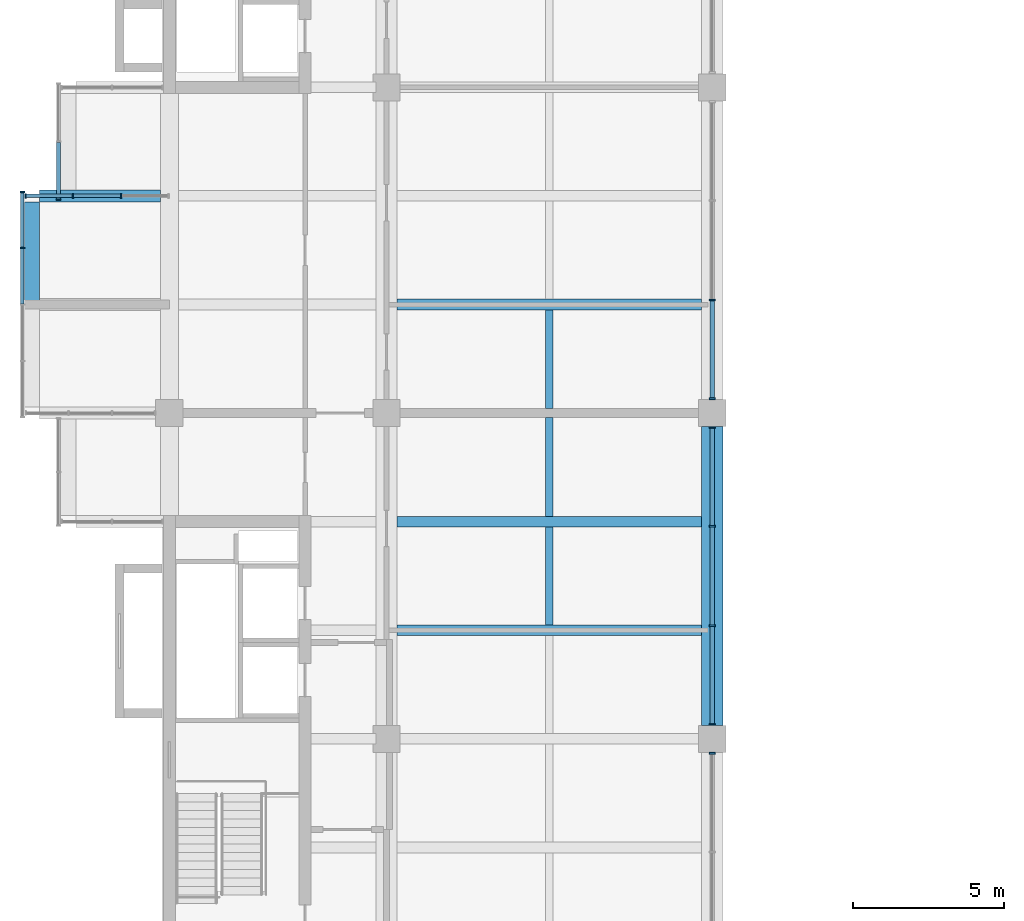
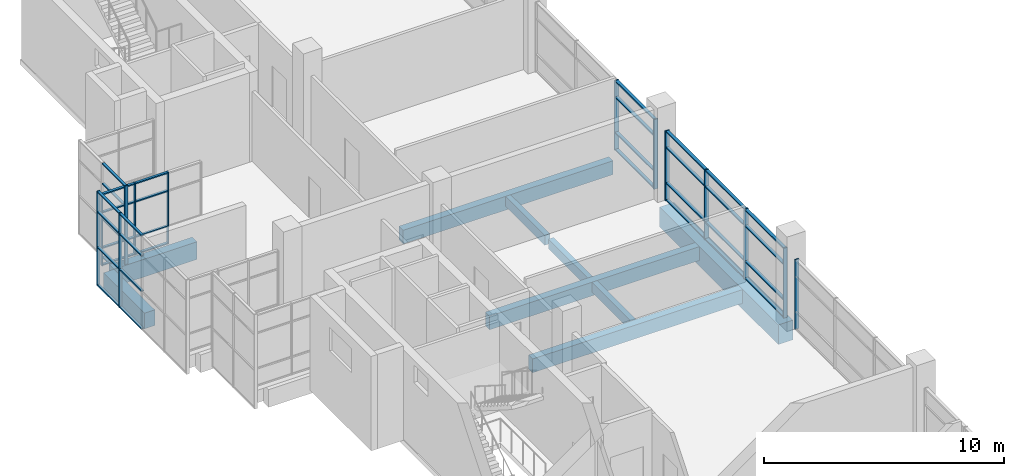
# One storey, part 7 of 22: 49 members, 9 beams, 6 elements without a shape of their own.
"""IFC4 building model written with IfcOpenShell, lengths in metres."""

from ifc_helpers import new_model, si_unit, direction, frame, origin, origin_2d, place, context, subcontext, project, spatial, rectangle, extrude, material, layer, layer_set, material_profile, profile_set, type_object, element, aggregate, save


model = new_model("IFC4")

# Units and contexts
model_context = context("Model", 3, precision=1e-05, world=origin(), true_north=direction((0.0, 1.0)))
body_context = subcontext(model_context, "Body", "Model", "MODEL_VIEW")
ifc_project = project(units=[si_unit("LENGTHUNIT", "METRE"), si_unit("AREAUNIT", "SQUARE_METRE"), si_unit("VOLUMEUNIT", "CUBIC_METRE"), si_unit("PLANEANGLEUNIT", "RADIAN"), si_unit("MASSUNIT", "GRAM", prefix="KILO")], contexts=[model_context])

# Site, building, storey
site_placement = place(None, origin())
site = spatial("IfcSite", under=ifc_project, at=site_placement, CompositionType="ELEMENT")
building_placement = place(site_placement, origin())
building = spatial("IfcBuilding", under=site, at=building_placement, Name="Basin Gate Institute", CompositionType="ELEMENT")
storey_placement = place(building_placement, frame((0.0, 0.0, 51.0)))
storey = spatial("IfcBuildingStorey", under=building, at=storey_placement, Name="L10", CompositionType="ELEMENT", Elevation=51.0)

# Beams
ifc_material_1 = material(Name="Concrete 40 MPa", Category="concrete")
ifc_material_profile_1 = material_profile(ifc_material_1, rectangle(XDim=0.35009765625, YDim=0.699951171875, at=origin_2d()), Name="Beam B1 350 x 700")
ifc_profile_set_1 = profile_set([ifc_material_profile_1], Name="Concrete 40 MPa")
beam_type_1 = type_object("IfcBeamType", Name="Beam B1 R120", PredefinedType="BEAM", material=ifc_profile_set_1)
for number, where, z_axis, x_axis, name in (
    (1, (68.75, 71.10009765625, -0.60009765625), (1.0, 0.0, 0.0), (0.0, 1.0, 0.0), "BEAM/L10/W/EW/11"),
    (2, (68.75, 74.699951171875, -0.60009765625), (1.0, 0.0, 0.0), (0.0, 1.0, 0.0), "BEAM/L10/W/EW/12"),
    (3, (68.75, 81.89990234375, -0.60009765625), (1.0, 0.0, 0.0), (0.0, 1.0, 0.0), "BEAM/L10/W/EW/14"),
):
    element("IfcBeam", number, at=place(storey_placement, frame(where, z_axis=z_axis, x_axis=x_axis)), inside=storey, type_object=beam_type_1, material=ifc_profile_set_1, Name=name, PredefinedType="BEAM", context=body_context, shape_type="SweptSolid", body=[
        extrude(rectangle(XDim=0.35009765625, YDim=0.699951171875, at=origin_2d()), origin(), (0.0, 0.0, 1.0), 10.10009765625),
    ])
ifc_material_2 = material(Name="Concrete 50 MPa", Category="concrete")
ifc_material_profile_2 = material_profile(ifc_material_2, rectangle(XDim=0.39990234375, YDim=0.89990234375, at=origin_2d()), Name="Cantilever beam B3 400 x 900")
ifc_profile_set_2 = profile_set([ifc_material_profile_2], Name="Concrete 50 MPa")
beam_type_2 = type_object("IfcBeamType", Name="Cantilever beam B3 R120", PredefinedType="BEAM", material=ifc_profile_set_2)
beam_1_placement = place(storey_placement, frame((56.89990234375, 85.5, -0.699951171875), z_axis=(1.0, 0.0, 0.0), x_axis=(0.0, 1.0, 0.0)))
element("IfcBeam", 4, at=beam_1_placement, inside=storey, type_object=beam_type_2, material=ifc_profile_set_2, Name="BEAM/L10/W/CANT/15", PredefinedType="BEAM", context=body_context, shape_type="SweptSolid", body=[
    extrude(rectangle(XDim=0.39990234375, YDim=0.89990234375, at=origin_2d()), origin(), (0.0, 0.0, 1.0), 4.0),
])
ifc_material_3 = material(Name="Concrete 50 MPa", Category="concrete")
ifc_material_profile_3 = material_profile(ifc_material_3, rectangle(XDim=0.699951171875, YDim=1.0, at=origin_2d()), Name="Girder G1 700 x 1000")
ifc_profile_set_3 = profile_set([ifc_material_profile_3], Name="Concrete 50 MPa")
beam_type_3 = type_object("IfcBeamType", Name="Girder G1 R120", PredefinedType="BEAM", material=ifc_profile_set_3)
beam_2_placement = place(storey_placement, frame((79.199951171875, 67.949951171875, -0.75), z_axis=(0.0, 1.0, 0.0), x_axis=(-1.0, 0.0, 0.0)))
element("IfcBeam", 5, at=beam_2_placement, inside=storey, type_object=beam_type_3, material=ifc_profile_set_3, Name="GIR/L10/W6/4", PredefinedType="BEAM", context=body_context, shape_type="SweptSolid", body=[
    extrude(rectangle(XDim=0.699951171875, YDim=1.0, at=origin_2d()), origin(), (0.0, 0.0, 1.0), 9.900146484375),
])

# Curtain wall, members
ifc_material_4 = material(Name="Aluminium-framed glazing", Category="aluminium")
ifc_layer_1 = layer(ifc_material_4, 0.14990234375)
ifc_layer_set_1 = layer_set([ifc_layer_1], Name="Capsule front curtain wall CW1")
curtain_wall_type_1 = type_object("IfcCurtainWallType", Name="Capsule front curtain wall CW1", PredefinedType="NOTDEFINED", material=ifc_layer_set_1)
curtain_wall_1_placement = place(storey_placement, origin())
curtain_wall_1 = element("IfcCurtainWall", 6, at=curtain_wall_1_placement, inside=storey, type_object=curtain_wall_type_1, material=ifc_layer_set_1, Name="Capsule front curtain wall W wing capsule end L10 line 15", PredefinedType="NOTDEFINED")
ifc_material_5 = material(Name="Aluminium", Category="aluminium")
ifc_material_profile_4 = material_profile(ifc_material_5, rectangle(XDim=0.14990234375, YDim=0.050048828125, at=origin_2d()), Name="Mullion MU1 150 x 50")
ifc_profile_set_4 = profile_set([ifc_material_profile_4], Name="Aluminium")
member_type_1 = type_object("IfcMemberType", Name="Mullion MU1", PredefinedType="MULLION", material=ifc_profile_set_4)
member_1_placement = place(storey_placement, frame((56.425048828125, 85.5, 0.0), z_axis=(0.0, 0.0, 1.0), x_axis=(0.0, 1.0, 0.0)))
member_1 = element("IfcMember", 7, at=member_1_placement, type_object=member_type_1, material=ifc_profile_set_4, Name="CW1 mullion 1", PredefinedType="MULLION", context=body_context, shape_type="SweptSolid", body=[
    extrude(rectangle(XDim=0.14990234375, YDim=0.050048828125, at=origin_2d()), origin(), (0.0, 0.0, 1.0), 3.64990234375),
])
member_2_placement = place(storey_placement, frame((58.0, 85.5, 0.0), z_axis=(0.0, 0.0, 1.0), x_axis=(0.0, 1.0, 0.0)))
member_2 = element("IfcMember", 8, at=member_2_placement, type_object=member_type_1, material=ifc_profile_set_4, Name="CW1 mullion 2", PredefinedType="MULLION", context=body_context, shape_type="SweptSolid", body=[
    extrude(rectangle(XDim=0.14990234375, YDim=0.050048828125, at=origin_2d()), origin(), (0.0, 0.0, 1.0), 3.64990234375),
])
member_3_placement = place(storey_placement, frame((59.60009765625, 85.5, 0.0), z_axis=(0.0, 0.0, 1.0), x_axis=(0.0, 1.0, 0.0)))
member_3 = element("IfcMember", 9, at=member_3_placement, type_object=member_type_1, material=ifc_profile_set_4, Name="CW1 mullion 3", PredefinedType="MULLION", context=body_context, shape_type="SweptSolid", body=[
    extrude(rectangle(XDim=0.14990234375, YDim=0.050048828125, at=origin_2d()), origin(), (0.0, 0.0, 1.0), 3.64990234375),
])

curtain_wall_2_placement = place(storey_placement, origin())
curtain_wall_2 = element("IfcCurtainWall", 10, at=curtain_wall_2_placement, inside=storey, type_object=curtain_wall_type_1, material=ifc_layer_set_1, Name="Capsule front curtain wall W wing capsule 2 L10 front 2", PredefinedType="NOTDEFINED")
member_4_placement = place(storey_placement, frame((56.324951171875, 83.77490234375, -1.050048828125), z_axis=(0.0, 0.0, 1.0), x_axis=(-1.0, 0.0, 0.0)))
member_4 = element("IfcMember", 11, at=member_4_placement, type_object=member_type_1, material=ifc_profile_set_4, Name="CW1 mullion 4", PredefinedType="MULLION", context=body_context, shape_type="SweptSolid", body=[
    extrude(rectangle(XDim=0.14990234375, YDim=0.050048828125, at=origin_2d()), origin(), (0.0, 0.0, 1.0), 4.800048828125),
])
member_5_placement = place(storey_placement, frame((56.324951171875, 85.625, -1.050048828125), z_axis=(0.0, 0.0, 1.0), x_axis=(-1.0, 0.0, 0.0)))
member_5 = element("IfcMember", 12, at=member_5_placement, type_object=member_type_1, material=ifc_profile_set_4, Name="CW1 mullion 5", PredefinedType="MULLION", context=body_context, shape_type="SweptSolid", body=[
    extrude(rectangle(XDim=0.14990234375, YDim=0.050048828125, at=origin_2d()), origin(), (0.0, 0.0, 1.0), 4.800048828125),
])

# Curtain wall, member
curtain_wall_3_placement = place(storey_placement, origin())
curtain_wall_3 = element("IfcCurtainWall", 13, at=curtain_wall_3_placement, inside=storey, type_object=curtain_wall_type_1, material=ifc_layer_set_1, Name="Capsule front curtain wall W wing capsule 2 L10 front 4", PredefinedType="NOTDEFINED")
member_6_placement = place(storey_placement, frame((57.52490234375, 85.375, -1.050048828125), z_axis=(0.0, 0.0, 1.0), x_axis=(-1.0, 0.0, 0.0)))
member_6 = element("IfcMember", 14, at=member_6_placement, type_object=member_type_1, material=ifc_profile_set_4, Name="CW1 mullion 1", PredefinedType="MULLION", context=body_context, shape_type="SweptSolid", body=[
    extrude(rectangle(XDim=0.14990234375, YDim=0.050048828125, at=origin_2d()), origin(), (0.0, 0.0, 1.0), 4.800048828125),
])

ifc_material_6 = material(Name="Aluminium-framed glazing", Category="aluminium")
ifc_layer_2 = layer(ifc_material_6, 0.199951171875)
ifc_layer_set_2 = layer_set([ifc_layer_2], Name="Atrium curtain wall CW2")
curtain_wall_type_2 = type_object("IfcCurtainWallType", Name="Atrium curtain wall CW2", PredefinedType="NOTDEFINED", material=ifc_layer_set_2)
curtain_wall_4_placement = place(storey_placement, origin())
curtain_wall_4 = element("IfcCurtainWall", 15, at=curtain_wall_4_placement, inside=storey, type_object=curtain_wall_type_2, material=ifc_layer_set_2, Name="Atrium curtain wall W wing atrium bay 3 L10", PredefinedType="NOTDEFINED")
ifc_material_7 = material(Name="Aluminium", Category="aluminium")
ifc_material_profile_5 = material_profile(ifc_material_7, rectangle(XDim=0.199951171875, YDim=0.06005859375, at=origin_2d()), Name="Mullion MU2 200 x 60")
ifc_profile_set_5 = profile_set([ifc_material_profile_5], Name="Aluminium")
member_type_2 = type_object("IfcMemberType", Name="Mullion MU2", PredefinedType="MULLION", material=ifc_profile_set_5)
member_7_placement = place(storey_placement, frame((79.199951171875, 67.02001953125, 0.0), z_axis=(0.0, 0.0, 1.0), x_axis=(-1.0, 0.0, 0.0)))
member_7 = element("IfcMember", 16, at=member_7_placement, type_object=member_type_2, material=ifc_profile_set_5, Name="CW2 mullion 4", PredefinedType="MULLION", context=body_context, shape_type="SweptSolid", body=[
    extrude(rectangle(XDim=0.199951171875, YDim=0.06005859375, at=origin_2d()), origin(), (0.0, 0.0, 1.0), 3.550048828125),
])
aggregate(curtain_wall_4, [member_7])

# Curtain wall, members
curtain_wall_5_placement = place(storey_placement, origin())
curtain_wall_5 = element("IfcCurtainWall", 17, at=curtain_wall_5_placement, inside=storey, type_object=curtain_wall_type_2, material=ifc_layer_set_2, Name="Atrium curtain wall W wing atrium bay 4 L10", PredefinedType="NOTDEFINED")
member_8_placement = place(storey_placement, frame((79.199951171875, 67.97998046875, 0.0), z_axis=(0.0, 0.0, 1.0), x_axis=(-1.0, 0.0, 0.0)))
member_8 = element("IfcMember", 18, at=member_8_placement, type_object=member_type_2, material=ifc_profile_set_5, Name="CW2 mullion 1", PredefinedType="MULLION", context=body_context, shape_type="SweptSolid", body=[
    extrude(rectangle(XDim=0.199951171875, YDim=0.06005859375, at=origin_2d()), origin(), (0.0, 0.0, 1.0), 3.550048828125),
])
member_9_placement = place(storey_placement, frame((79.199951171875, 71.25, 0.0), z_axis=(0.0, 0.0, 1.0), x_axis=(-1.0, 0.0, 0.0)))
member_9 = element("IfcMember", 19, at=member_9_placement, type_object=member_type_2, material=ifc_profile_set_5, Name="CW2 mullion 2", PredefinedType="MULLION", context=body_context, shape_type="SweptSolid", body=[
    extrude(rectangle(XDim=0.199951171875, YDim=0.06005859375, at=origin_2d()), origin(), (0.0, 0.0, 1.0), 3.550048828125),
])
member_10_placement = place(storey_placement, frame((79.199951171875, 74.550048828125, 0.0), z_axis=(0.0, 0.0, 1.0), x_axis=(-1.0, 0.0, 0.0)))
member_10 = element("IfcMember", 20, at=member_10_placement, type_object=member_type_2, material=ifc_profile_set_5, Name="CW2 mullion 3", PredefinedType="MULLION", context=body_context, shape_type="SweptSolid", body=[
    extrude(rectangle(XDim=0.199951171875, YDim=0.06005859375, at=origin_2d()), origin(), (0.0, 0.0, 1.0), 3.550048828125),
])
member_11_placement = place(storey_placement, frame((79.199951171875, 77.820068359375, 0.0), z_axis=(0.0, 0.0, 1.0), x_axis=(-1.0, 0.0, 0.0)))
member_11 = element("IfcMember", 21, at=member_11_placement, type_object=member_type_2, material=ifc_profile_set_5, Name="CW2 mullion 4", PredefinedType="MULLION", context=body_context, shape_type="SweptSolid", body=[
    extrude(rectangle(XDim=0.199951171875, YDim=0.06005859375, at=origin_2d()), origin(), (0.0, 0.0, 1.0), 3.550048828125),
])

curtain_wall_6_placement = place(storey_placement, origin())
curtain_wall_6 = element("IfcCurtainWall", 22, at=curtain_wall_6_placement, inside=storey, type_object=curtain_wall_type_2, material=ifc_layer_set_2, Name="Atrium curtain wall W wing atrium bay 5 L10", PredefinedType="NOTDEFINED")
member_12_placement = place(storey_placement, frame((79.199951171875, 78.780029296875, 0.0), z_axis=(0.0, 0.0, 1.0), x_axis=(-1.0, 0.0, 0.0)))
member_12 = element("IfcMember", 23, at=member_12_placement, type_object=member_type_2, material=ifc_profile_set_5, Name="CW2 mullion 1", PredefinedType="MULLION", context=body_context, shape_type="SweptSolid", body=[
    extrude(rectangle(XDim=0.199951171875, YDim=0.06005859375, at=origin_2d()), origin(), (0.0, 0.0, 1.0), 3.550048828125),
])
member_13_placement = place(storey_placement, frame((79.199951171875, 82.050048828125, 0.0), z_axis=(0.0, 0.0, 1.0), x_axis=(-1.0, 0.0, 0.0)))
member_13 = element("IfcMember", 24, at=member_13_placement, type_object=member_type_2, material=ifc_profile_set_5, Name="CW2 mullion 2", PredefinedType="MULLION", context=body_context, shape_type="SweptSolid", body=[
    extrude(rectangle(XDim=0.199951171875, YDim=0.06005859375, at=origin_2d()), origin(), (0.0, 0.0, 1.0), 3.550048828125),
])

# Beams
ifc_material_8 = material(Name="Concrete 40 MPa", Category="concrete")
ifc_material_profile_6 = material_profile(ifc_material_8, rectangle(XDim=0.25, YDim=0.5, at=origin_2d()), Name="Rib R1 250 x 500")
ifc_profile_set_6 = profile_set([ifc_material_profile_6], Name="Concrete 40 MPa")
beam_type_4 = type_object("IfcBeamType", Name="Rib R1 R120", PredefinedType="JOIST", material=ifc_profile_set_6)
beam_3_placement = place(storey_placement, frame((73.800048828125, 71.27490234375, -0.5), z_axis=(0.0, 1.0, 0.0), x_axis=(-1.0, 0.0, 0.0)))
element("IfcBeam", 25, at=beam_3_placement, inside=storey, type_object=beam_type_4, material=ifc_profile_set_6, Name="BEAM/L10/W/RIB/11", PredefinedType="JOIST", context=body_context, shape_type="SweptSolid", body=[
    extrude(rectangle(XDim=0.25, YDim=0.5, at=origin_2d()), origin(), (0.0, 0.0, 1.0), 3.25),
])
beam_4_placement = place(storey_placement, frame((73.800048828125, 74.875, -0.5), z_axis=(0.0, 1.0, 0.0), x_axis=(-1.0, 0.0, 0.0)))
element("IfcBeam", 26, at=beam_4_placement, inside=storey, type_object=beam_type_4, material=ifc_profile_set_6, Name="BEAM/L10/W/RIB/12", PredefinedType="JOIST", context=body_context, shape_type="SweptSolid", body=[
    extrude(rectangle(XDim=0.25, YDim=0.5, at=origin_2d()), origin(), (0.0, 0.0, 1.0), 3.27490234375),
])
beam_5_placement = place(storey_placement, frame((73.800048828125, 78.449951171875, -0.5), z_axis=(0.0, 1.0, 0.0), x_axis=(-1.0, 0.0, 0.0)))
element("IfcBeam", 27, at=beam_5_placement, inside=storey, type_object=beam_type_4, material=ifc_profile_set_6, Name="BEAM/L10/W/RIB/13", PredefinedType="JOIST", context=body_context, shape_type="SweptSolid", body=[
    extrude(rectangle(XDim=0.25, YDim=0.5, at=origin_2d()), origin(), (0.0, 0.0, 1.0), 3.275146484375),
])
ifc_material_9 = material(Name="Concrete 50 MPa", Category="concrete")
ifc_material_profile_7 = material_profile(ifc_material_9, rectangle(XDim=0.5, YDim=0.800048828125, at=origin_2d()), Name="Tip beam TB1 500 x 800")
ifc_profile_set_7 = profile_set([ifc_material_profile_7], Name="Concrete 50 MPa")
beam_type_5 = type_object("IfcBeamType", Name="Tip beam TB1 R120", PredefinedType="SPANDREL", material=ifc_profile_set_7)
beam_6_placement = place(storey_placement, frame((56.64990234375, 81.89990234375, -0.64990234375), z_axis=(0.0, 1.0, 0.0), x_axis=(-1.0, 0.0, 0.0)))
element("IfcBeam", 28, at=beam_6_placement, inside=storey, type_object=beam_type_5, material=ifc_profile_set_7, Name="BEAM/L10/W/TIP/7", PredefinedType="SPANDREL", context=body_context, shape_type="SweptSolid", body=[
    extrude(rectangle(XDim=0.5, YDim=0.800048828125, at=origin_2d()), origin(), (0.0, 0.0, 1.0), 3.400146484375),
])

# Member
ifc_material_10 = material(Name="Aluminium", Category="aluminium")
ifc_material_profile_8 = material_profile(ifc_material_10, rectangle(XDim=0.1201171875, YDim=0.06005859375, at=origin_2d()), Name="Transom TR1 120 x 60")
ifc_profile_set_8 = profile_set([ifc_material_profile_8], Name="Aluminium")
member_type_3 = type_object("IfcMemberType", Name="Transom TR1", PredefinedType="USERDEFINED", material=ifc_profile_set_8)
member_14_placement = place(storey_placement, frame((56.449951171875, 85.5, 0.030029296875), z_axis=(1.0, 0.0, 0.0), x_axis=(0.0, 1.0, 0.0)))
member_14 = element("IfcMember", 29, at=member_14_placement, type_object=member_type_3, material=ifc_profile_set_8, Name="CW1 transom 1.1", ObjectType="TRANSOM", PredefinedType="USERDEFINED", context=body_context, shape_type="SweptSolid", body=[
    extrude(rectangle(XDim=0.1201171875, YDim=0.06005859375, at=origin_2d()), origin(), (0.0, 0.0, 1.0), 1.525146484375),
])

member_15_placement = place(storey_placement, frame((56.449951171875, 85.5, 0.89990234375), z_axis=(1.0, 0.0, 0.0), x_axis=(0.0, 1.0, 0.0)))
member_15 = element("IfcMember", 30, at=member_15_placement, type_object=member_type_3, material=ifc_profile_set_8, Name="CW1 transom 1.2", ObjectType="TRANSOM", PredefinedType="USERDEFINED", context=body_context, shape_type="SweptSolid", body=[
    extrude(rectangle(XDim=0.1201171875, YDim=0.06005859375, at=origin_2d()), origin(), (0.0, 0.0, 1.0), 1.525146484375),
])

member_16_placement = place(storey_placement, frame((56.449951171875, 85.5, 2.699951171875), z_axis=(1.0, 0.0, 0.0), x_axis=(0.0, 1.0, 0.0)))
member_16 = element("IfcMember", 31, at=member_16_placement, type_object=member_type_3, material=ifc_profile_set_8, Name="CW1 transom 1.3", ObjectType="TRANSOM", PredefinedType="USERDEFINED", context=body_context, shape_type="SweptSolid", body=[
    extrude(rectangle(XDim=0.1201171875, YDim=0.06005859375, at=origin_2d()), origin(), (0.0, 0.0, 1.0), 1.525146484375),
])

member_17_placement = place(storey_placement, frame((56.449951171875, 85.5, 3.6201171875), z_axis=(1.0, 0.0, 0.0), x_axis=(0.0, 1.0, 0.0)))
member_17 = element("IfcMember", 32, at=member_17_placement, type_object=member_type_3, material=ifc_profile_set_8, Name="CW1 transom 1.4", ObjectType="TRANSOM", PredefinedType="USERDEFINED", context=body_context, shape_type="SweptSolid", body=[
    extrude(rectangle(XDim=0.1201171875, YDim=0.06005859375, at=origin_2d()), origin(), (0.0, 0.0, 1.0), 1.525146484375),
])

member_18_placement = place(storey_placement, frame((58.02490234375, 85.5, 0.030029296875), z_axis=(1.0, 0.0, 0.0), x_axis=(0.0, 1.0, 0.0)))
member_18 = element("IfcMember", 33, at=member_18_placement, type_object=member_type_3, material=ifc_profile_set_8, Name="CW1 transom 2.1", ObjectType="TRANSOM", PredefinedType="USERDEFINED", context=body_context, shape_type="SweptSolid", body=[
    extrude(rectangle(XDim=0.1201171875, YDim=0.06005859375, at=origin_2d()), origin(), (0.0, 0.0, 1.0), 1.550048828125),
])

member_19_placement = place(storey_placement, frame((58.02490234375, 85.5, 0.89990234375), z_axis=(1.0, 0.0, 0.0), x_axis=(0.0, 1.0, 0.0)))
member_19 = element("IfcMember", 34, at=member_19_placement, type_object=member_type_3, material=ifc_profile_set_8, Name="CW1 transom 2.2", ObjectType="TRANSOM", PredefinedType="USERDEFINED", context=body_context, shape_type="SweptSolid", body=[
    extrude(rectangle(XDim=0.1201171875, YDim=0.06005859375, at=origin_2d()), origin(), (0.0, 0.0, 1.0), 1.550048828125),
])

member_20_placement = place(storey_placement, frame((58.02490234375, 85.5, 2.699951171875), z_axis=(1.0, 0.0, 0.0), x_axis=(0.0, 1.0, 0.0)))
member_20 = element("IfcMember", 35, at=member_20_placement, type_object=member_type_3, material=ifc_profile_set_8, Name="CW1 transom 2.3", ObjectType="TRANSOM", PredefinedType="USERDEFINED", context=body_context, shape_type="SweptSolid", body=[
    extrude(rectangle(XDim=0.1201171875, YDim=0.06005859375, at=origin_2d()), origin(), (0.0, 0.0, 1.0), 1.550048828125),
])

member_21_placement = place(storey_placement, frame((58.02490234375, 85.5, 3.6201171875), z_axis=(1.0, 0.0, 0.0), x_axis=(0.0, 1.0, 0.0)))
member_21 = element("IfcMember", 36, at=member_21_placement, type_object=member_type_3, material=ifc_profile_set_8, Name="CW1 transom 2.4", ObjectType="TRANSOM", PredefinedType="USERDEFINED", context=body_context, shape_type="SweptSolid", body=[
    extrude(rectangle(XDim=0.1201171875, YDim=0.06005859375, at=origin_2d()), origin(), (0.0, 0.0, 1.0), 1.550048828125),
])

aggregate(curtain_wall_1, [member_1, member_2, member_3, member_14, member_15, member_16, member_17, member_18, member_19, member_20, member_21])

member_22_placement = place(storey_placement, frame((56.324951171875, 81.925048828125, -1.02001953125), z_axis=(0.0, 1.0, 0.0), x_axis=(-1.0, 0.0, 0.0)))
member_22 = element("IfcMember", 37, at=member_22_placement, type_object=member_type_3, material=ifc_profile_set_8, Name="CW1 transom 3.1", ObjectType="TRANSOM", PredefinedType="USERDEFINED", context=body_context, shape_type="SweptSolid", body=[
    extrude(rectangle(XDim=0.1201171875, YDim=0.06005859375, at=origin_2d()), origin(), (0.0, 0.0, 1.0), 1.824951171875),
])

member_23_placement = place(storey_placement, frame((56.324951171875, 81.925048828125, 0.89990234375), z_axis=(0.0, 1.0, 0.0), x_axis=(-1.0, 0.0, 0.0)))
member_23 = element("IfcMember", 38, at=member_23_placement, type_object=member_type_3, material=ifc_profile_set_8, Name="CW1 transom 3.2", ObjectType="TRANSOM", PredefinedType="USERDEFINED", context=body_context, shape_type="SweptSolid", body=[
    extrude(rectangle(XDim=0.1201171875, YDim=0.06005859375, at=origin_2d()), origin(), (0.0, 0.0, 1.0), 1.824951171875),
])

member_24_placement = place(storey_placement, frame((56.324951171875, 81.925048828125, 2.699951171875), z_axis=(0.0, 1.0, 0.0), x_axis=(-1.0, 0.0, 0.0)))
member_24 = element("IfcMember", 39, at=member_24_placement, type_object=member_type_3, material=ifc_profile_set_8, Name="CW1 transom 3.3", ObjectType="TRANSOM", PredefinedType="USERDEFINED", context=body_context, shape_type="SweptSolid", body=[
    extrude(rectangle(XDim=0.1201171875, YDim=0.06005859375, at=origin_2d()), origin(), (0.0, 0.0, 1.0), 1.824951171875),
])

member_25_placement = place(storey_placement, frame((56.324951171875, 81.925048828125, 3.719970703125), z_axis=(0.0, 1.0, 0.0), x_axis=(-1.0, 0.0, 0.0)))
member_25 = element("IfcMember", 40, at=member_25_placement, type_object=member_type_3, material=ifc_profile_set_8, Name="CW1 transom 3.4", ObjectType="TRANSOM", PredefinedType="USERDEFINED", context=body_context, shape_type="SweptSolid", body=[
    extrude(rectangle(XDim=0.1201171875, YDim=0.06005859375, at=origin_2d()), origin(), (0.0, 0.0, 1.0), 1.824951171875),
])

member_26_placement = place(storey_placement, frame((56.324951171875, 83.800048828125, -1.02001953125), z_axis=(0.0, 1.0, 0.0), x_axis=(-1.0, 0.0, 0.0)))
member_26 = element("IfcMember", 41, at=member_26_placement, type_object=member_type_3, material=ifc_profile_set_8, Name="CW1 transom 4.1", ObjectType="TRANSOM", PredefinedType="USERDEFINED", context=body_context, shape_type="SweptSolid", body=[
    extrude(rectangle(XDim=0.1201171875, YDim=0.06005859375, at=origin_2d()), origin(), (0.0, 0.0, 1.0), 1.800048828125),
])

member_27_placement = place(storey_placement, frame((56.324951171875, 83.800048828125, 0.89990234375), z_axis=(0.0, 1.0, 0.0), x_axis=(-1.0, 0.0, 0.0)))
member_27 = element("IfcMember", 42, at=member_27_placement, type_object=member_type_3, material=ifc_profile_set_8, Name="CW1 transom 4.2", ObjectType="TRANSOM", PredefinedType="USERDEFINED", context=body_context, shape_type="SweptSolid", body=[
    extrude(rectangle(XDim=0.1201171875, YDim=0.06005859375, at=origin_2d()), origin(), (0.0, 0.0, 1.0), 1.800048828125),
])

member_28_placement = place(storey_placement, frame((56.324951171875, 83.800048828125, 2.699951171875), z_axis=(0.0, 1.0, 0.0), x_axis=(-1.0, 0.0, 0.0)))
member_28 = element("IfcMember", 43, at=member_28_placement, type_object=member_type_3, material=ifc_profile_set_8, Name="CW1 transom 4.3", ObjectType="TRANSOM", PredefinedType="USERDEFINED", context=body_context, shape_type="SweptSolid", body=[
    extrude(rectangle(XDim=0.1201171875, YDim=0.06005859375, at=origin_2d()), origin(), (0.0, 0.0, 1.0), 1.800048828125),
])

member_29_placement = place(storey_placement, frame((56.324951171875, 83.800048828125, 3.719970703125), z_axis=(0.0, 1.0, 0.0), x_axis=(-1.0, 0.0, 0.0)))
member_29 = element("IfcMember", 44, at=member_29_placement, type_object=member_type_3, material=ifc_profile_set_8, Name="CW1 transom 4.4", ObjectType="TRANSOM", PredefinedType="USERDEFINED", context=body_context, shape_type="SweptSolid", body=[
    extrude(rectangle(XDim=0.1201171875, YDim=0.06005859375, at=origin_2d()), origin(), (0.0, 0.0, 1.0), 1.800048828125),
])

aggregate(curtain_wall_2, [member_4, member_5, member_22, member_23, member_24, member_25, member_26, member_27, member_28, member_29])

member_30_placement = place(storey_placement, frame((57.52490234375, 85.39990234375, -1.02001953125), z_axis=(0.0, 1.0, 0.0), x_axis=(-1.0, 0.0, 0.0)))
member_30 = element("IfcMember", 45, at=member_30_placement, type_object=member_type_3, material=ifc_profile_set_8, Name="CW1 transom 1.1", ObjectType="TRANSOM", PredefinedType="USERDEFINED", context=body_context, shape_type="SweptSolid", body=[
    extrude(rectangle(XDim=0.1201171875, YDim=0.06005859375, at=origin_2d()), origin(), (0.0, 0.0, 1.0), 1.875),
])

member_31_placement = place(storey_placement, frame((57.52490234375, 85.39990234375, 0.89990234375), z_axis=(0.0, 1.0, 0.0), x_axis=(-1.0, 0.0, 0.0)))
member_31 = element("IfcMember", 46, at=member_31_placement, type_object=member_type_3, material=ifc_profile_set_8, Name="CW1 transom 1.2", ObjectType="TRANSOM", PredefinedType="USERDEFINED", context=body_context, shape_type="SweptSolid", body=[
    extrude(rectangle(XDim=0.1201171875, YDim=0.06005859375, at=origin_2d()), origin(), (0.0, 0.0, 1.0), 1.875),
])

member_32_placement = place(storey_placement, frame((57.52490234375, 85.39990234375, 2.699951171875), z_axis=(0.0, 1.0, 0.0), x_axis=(-1.0, 0.0, 0.0)))
member_32 = element("IfcMember", 47, at=member_32_placement, type_object=member_type_3, material=ifc_profile_set_8, Name="CW1 transom 1.3", ObjectType="TRANSOM", PredefinedType="USERDEFINED", context=body_context, shape_type="SweptSolid", body=[
    extrude(rectangle(XDim=0.1201171875, YDim=0.06005859375, at=origin_2d()), origin(), (0.0, 0.0, 1.0), 1.875),
])

member_33_placement = place(storey_placement, frame((57.52490234375, 85.39990234375, 3.719970703125), z_axis=(0.0, 1.0, 0.0), x_axis=(-1.0, 0.0, 0.0)))
member_33 = element("IfcMember", 48, at=member_33_placement, type_object=member_type_3, material=ifc_profile_set_8, Name="CW1 transom 1.4", ObjectType="TRANSOM", PredefinedType="USERDEFINED", context=body_context, shape_type="SweptSolid", body=[
    extrude(rectangle(XDim=0.1201171875, YDim=0.06005859375, at=origin_2d()), origin(), (0.0, 0.0, 1.0), 1.875),
])

aggregate(curtain_wall_3, [member_6, member_30, member_31, member_32, member_33])

ifc_material_11 = material(Name="Aluminium", Category="aluminium")
ifc_material_profile_9 = material_profile(ifc_material_11, rectangle(XDim=0.14990234375, YDim=0.06005859375, at=origin_2d()), Name="Transom TR2 150 x 60")
ifc_profile_set_9 = profile_set([ifc_material_profile_9], Name="Aluminium")
member_type_4 = type_object("IfcMemberType", Name="Transom TR2", PredefinedType="USERDEFINED", material=ifc_profile_set_9)
member_34_placement = place(storey_placement, frame((79.199951171875, 68.010009765625, 0.030029296875), z_axis=(0.0, 1.0, 0.0), x_axis=(-1.0, 0.0, 0.0)))
member_34 = element("IfcMember", 49, at=member_34_placement, type_object=member_type_4, material=ifc_profile_set_9, Name="CW2 transom 1.1", ObjectType="TRANSOM", PredefinedType="USERDEFINED", context=body_context, shape_type="SweptSolid", body=[
    extrude(rectangle(XDim=0.14990234375, YDim=0.06005859375, at=origin_2d()), origin(), (0.0, 0.0, 1.0), 3.2099609375),
])

member_35_placement = place(storey_placement, frame((79.199951171875, 68.010009765625, 0.89990234375), z_axis=(0.0, 1.0, 0.0), x_axis=(-1.0, 0.0, 0.0)))
member_35 = element("IfcMember", 50, at=member_35_placement, type_object=member_type_4, material=ifc_profile_set_9, Name="CW2 transom 1.2", ObjectType="TRANSOM", PredefinedType="USERDEFINED", context=body_context, shape_type="SweptSolid", body=[
    extrude(rectangle(XDim=0.14990234375, YDim=0.06005859375, at=origin_2d()), origin(), (0.0, 0.0, 1.0), 3.2099609375),
])

member_36_placement = place(storey_placement, frame((79.199951171875, 68.010009765625, 2.699951171875), z_axis=(0.0, 1.0, 0.0), x_axis=(-1.0, 0.0, 0.0)))
member_36 = element("IfcMember", 51, at=member_36_placement, type_object=member_type_4, material=ifc_profile_set_9, Name="CW2 transom 1.3", ObjectType="TRANSOM", PredefinedType="USERDEFINED", context=body_context, shape_type="SweptSolid", body=[
    extrude(rectangle(XDim=0.14990234375, YDim=0.06005859375, at=origin_2d()), origin(), (0.0, 0.0, 1.0), 3.2099609375),
])

member_37_placement = place(storey_placement, frame((79.199951171875, 68.010009765625, 3.52001953125), z_axis=(0.0, 1.0, 0.0), x_axis=(-1.0, 0.0, 0.0)))
member_37 = element("IfcMember", 52, at=member_37_placement, type_object=member_type_4, material=ifc_profile_set_9, Name="CW2 transom 1.4", ObjectType="TRANSOM", PredefinedType="USERDEFINED", context=body_context, shape_type="SweptSolid", body=[
    extrude(rectangle(XDim=0.14990234375, YDim=0.06005859375, at=origin_2d()), origin(), (0.0, 0.0, 1.0), 3.2099609375),
])

member_38_placement = place(storey_placement, frame((79.199951171875, 71.280029296875, 0.030029296875), z_axis=(0.0, 1.0, 0.0), x_axis=(-1.0, 0.0, 0.0)))
member_38 = element("IfcMember", 53, at=member_38_placement, type_object=member_type_4, material=ifc_profile_set_9, Name="CW2 transom 2.1", ObjectType="TRANSOM", PredefinedType="USERDEFINED", context=body_context, shape_type="SweptSolid", body=[
    extrude(rectangle(XDim=0.14990234375, YDim=0.06005859375, at=origin_2d()), origin(), (0.0, 0.0, 1.0), 3.239990234375),
])

member_39_placement = place(storey_placement, frame((79.199951171875, 71.280029296875, 0.89990234375), z_axis=(0.0, 1.0, 0.0), x_axis=(-1.0, 0.0, 0.0)))
member_39 = element("IfcMember", 54, at=member_39_placement, type_object=member_type_4, material=ifc_profile_set_9, Name="CW2 transom 2.2", ObjectType="TRANSOM", PredefinedType="USERDEFINED", context=body_context, shape_type="SweptSolid", body=[
    extrude(rectangle(XDim=0.14990234375, YDim=0.06005859375, at=origin_2d()), origin(), (0.0, 0.0, 1.0), 3.239990234375),
])

member_40_placement = place(storey_placement, frame((79.199951171875, 71.280029296875, 2.699951171875), z_axis=(0.0, 1.0, 0.0), x_axis=(-1.0, 0.0, 0.0)))
member_40 = element("IfcMember", 55, at=member_40_placement, type_object=member_type_4, material=ifc_profile_set_9, Name="CW2 transom 2.3", ObjectType="TRANSOM", PredefinedType="USERDEFINED", context=body_context, shape_type="SweptSolid", body=[
    extrude(rectangle(XDim=0.14990234375, YDim=0.06005859375, at=origin_2d()), origin(), (0.0, 0.0, 1.0), 3.239990234375),
])

member_41_placement = place(storey_placement, frame((79.199951171875, 71.280029296875, 3.52001953125), z_axis=(0.0, 1.0, 0.0), x_axis=(-1.0, 0.0, 0.0)))
member_41 = element("IfcMember", 56, at=member_41_placement, type_object=member_type_4, material=ifc_profile_set_9, Name="CW2 transom 2.4", ObjectType="TRANSOM", PredefinedType="USERDEFINED", context=body_context, shape_type="SweptSolid", body=[
    extrude(rectangle(XDim=0.14990234375, YDim=0.06005859375, at=origin_2d()), origin(), (0.0, 0.0, 1.0), 3.239990234375),
])

member_42_placement = place(storey_placement, frame((79.199951171875, 74.580078125, 0.030029296875), z_axis=(0.0, 1.0, 0.0), x_axis=(-1.0, 0.0, 0.0)))
member_42 = element("IfcMember", 57, at=member_42_placement, type_object=member_type_4, material=ifc_profile_set_9, Name="CW2 transom 3.1", ObjectType="TRANSOM", PredefinedType="USERDEFINED", context=body_context, shape_type="SweptSolid", body=[
    extrude(rectangle(XDim=0.14990234375, YDim=0.06005859375, at=origin_2d()), origin(), (0.0, 0.0, 1.0), 3.2099609375),
])

member_43_placement = place(storey_placement, frame((79.199951171875, 74.580078125, 0.89990234375), z_axis=(0.0, 1.0, 0.0), x_axis=(-1.0, 0.0, 0.0)))
member_43 = element("IfcMember", 58, at=member_43_placement, type_object=member_type_4, material=ifc_profile_set_9, Name="CW2 transom 3.2", ObjectType="TRANSOM", PredefinedType="USERDEFINED", context=body_context, shape_type="SweptSolid", body=[
    extrude(rectangle(XDim=0.14990234375, YDim=0.06005859375, at=origin_2d()), origin(), (0.0, 0.0, 1.0), 3.2099609375),
])

member_44_placement = place(storey_placement, frame((79.199951171875, 74.580078125, 2.699951171875), z_axis=(0.0, 1.0, 0.0), x_axis=(-1.0, 0.0, 0.0)))
member_44 = element("IfcMember", 59, at=member_44_placement, type_object=member_type_4, material=ifc_profile_set_9, Name="CW2 transom 3.3", ObjectType="TRANSOM", PredefinedType="USERDEFINED", context=body_context, shape_type="SweptSolid", body=[
    extrude(rectangle(XDim=0.14990234375, YDim=0.06005859375, at=origin_2d()), origin(), (0.0, 0.0, 1.0), 3.2099609375),
])

member_45_placement = place(storey_placement, frame((79.199951171875, 74.580078125, 3.52001953125), z_axis=(0.0, 1.0, 0.0), x_axis=(-1.0, 0.0, 0.0)))
member_45 = element("IfcMember", 60, at=member_45_placement, type_object=member_type_4, material=ifc_profile_set_9, Name="CW2 transom 3.4", ObjectType="TRANSOM", PredefinedType="USERDEFINED", context=body_context, shape_type="SweptSolid", body=[
    extrude(rectangle(XDim=0.14990234375, YDim=0.06005859375, at=origin_2d()), origin(), (0.0, 0.0, 1.0), 3.2099609375),
])

aggregate(curtain_wall_5, [member_8, member_9, member_10, member_11, member_34, member_35, member_36, member_37, member_38, member_39, member_40, member_41, member_42, member_43, member_44, member_45])

member_46_placement = place(storey_placement, frame((79.199951171875, 78.81005859375, 0.030029296875), z_axis=(0.0, 1.0, 0.0), x_axis=(-1.0, 0.0, 0.0)))
member_46 = element("IfcMember", 61, at=member_46_placement, type_object=member_type_4, material=ifc_profile_set_9, Name="CW2 transom 1.1", ObjectType="TRANSOM", PredefinedType="USERDEFINED", context=body_context, shape_type="SweptSolid", body=[
    extrude(rectangle(XDim=0.14990234375, YDim=0.06005859375, at=origin_2d()), origin(), (0.0, 0.0, 1.0), 3.2099609375),
])

member_47_placement = place(storey_placement, frame((79.199951171875, 78.81005859375, 0.89990234375), z_axis=(0.0, 1.0, 0.0), x_axis=(-1.0, 0.0, 0.0)))
member_47 = element("IfcMember", 62, at=member_47_placement, type_object=member_type_4, material=ifc_profile_set_9, Name="CW2 transom 1.2", ObjectType="TRANSOM", PredefinedType="USERDEFINED", context=body_context, shape_type="SweptSolid", body=[
    extrude(rectangle(XDim=0.14990234375, YDim=0.06005859375, at=origin_2d()), origin(), (0.0, 0.0, 1.0), 3.2099609375),
])

member_48_placement = place(storey_placement, frame((79.199951171875, 78.81005859375, 2.699951171875), z_axis=(0.0, 1.0, 0.0), x_axis=(-1.0, 0.0, 0.0)))
member_48 = element("IfcMember", 63, at=member_48_placement, type_object=member_type_4, material=ifc_profile_set_9, Name="CW2 transom 1.3", ObjectType="TRANSOM", PredefinedType="USERDEFINED", context=body_context, shape_type="SweptSolid", body=[
    extrude(rectangle(XDim=0.14990234375, YDim=0.06005859375, at=origin_2d()), origin(), (0.0, 0.0, 1.0), 3.2099609375),
])

member_49_placement = place(storey_placement, frame((79.199951171875, 78.81005859375, 3.52001953125), z_axis=(0.0, 1.0, 0.0), x_axis=(-1.0, 0.0, 0.0)))
member_49 = element("IfcMember", 64, at=member_49_placement, type_object=member_type_4, material=ifc_profile_set_9, Name="CW2 transom 1.4", ObjectType="TRANSOM", PredefinedType="USERDEFINED", context=body_context, shape_type="SweptSolid", body=[
    extrude(rectangle(XDim=0.14990234375, YDim=0.06005859375, at=origin_2d()), origin(), (0.0, 0.0, 1.0), 3.2099609375),
])

aggregate(curtain_wall_6, [member_12, member_13, member_46, member_47, member_48, member_49])

save(model, "model.ifc")
